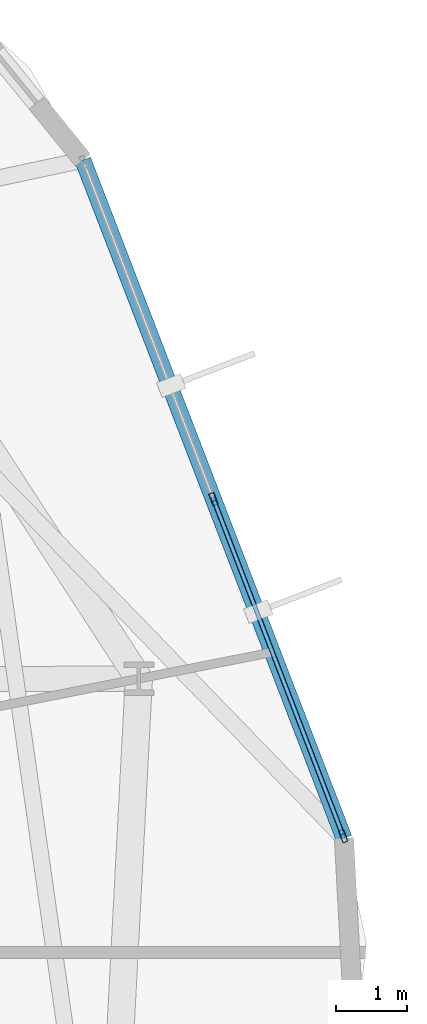
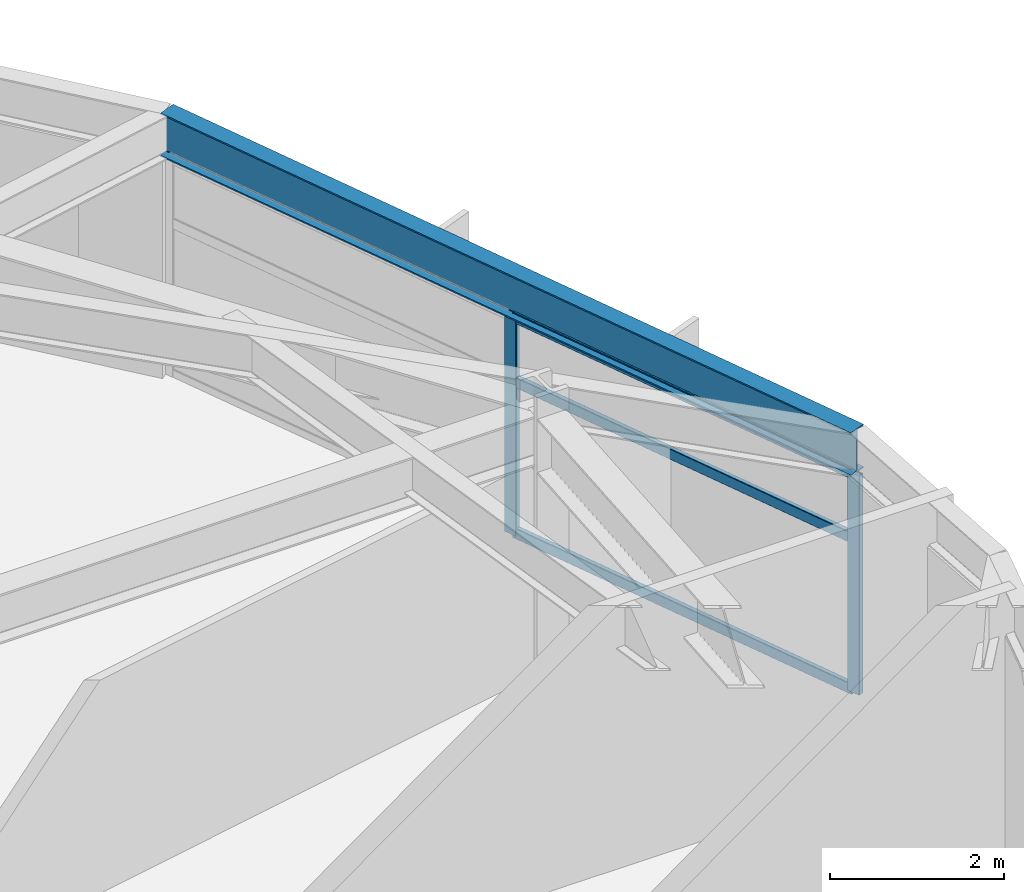
# One storey, part 11 of 23: 5 members, 1 beam, 1 element without a shape of its own.
"""IFC4 building model written with IfcOpenShell, lengths in metres."""

from ifc_helpers import new_model, si_unit, direction, frame, origin, origin_2d, place, context, subcontext, project, spatial, hollow_rectangle, i_section, extrude, material, layer, layer_set, material_profile, profile_set, type_object, element, aggregate, save


model = new_model("IFC4")

# Units and contexts
model_context = context("Model", 3, precision=1e-05, world=origin(), true_north=direction((0.0, 1.0)))
body_context = subcontext(model_context, "Body", "Model", "MODEL_VIEW")
ifc_project = project(units=[si_unit("LENGTHUNIT", "METRE"), si_unit("AREAUNIT", "SQUARE_METRE"), si_unit("VOLUMEUNIT", "CUBIC_METRE"), si_unit("PLANEANGLEUNIT", "RADIAN"), si_unit("MASSUNIT", "GRAM", prefix="KILO")], contexts=[model_context])

# Site, building, storey
site_placement = place(None, origin())
site = spatial("IfcSite", under=ifc_project, at=site_placement, CompositionType="ELEMENT")
building_placement = place(site_placement, origin())
building = spatial("IfcBuilding", under=site, at=building_placement, Name="Soratama Intermodal Tower", CompositionType="ELEMENT")
storey_placement = place(building_placement, frame((0.0, 0.0, 38.60009765625)))
storey = spatial("IfcBuildingStorey", under=building, at=storey_placement, Name="L08", CompositionType="ELEMENT", Elevation=38.60009765625)

# Beam
ifc_material_1 = material(Name="Structural steel ASTM A992 Grade 50", Category="steel")
ifc_material_profile_1 = material_profile(ifc_material_1, i_section(OverallWidth=0.22900390625, OverallDepth=0.612060546875, WebThickness=0.011962890625, FlangeThickness=0.01953125, FilletRadius=0.012939453125, at=origin_2d()), Name="W24X84")
ifc_profile_set_1 = profile_set([ifc_material_profile_1], Name="Structural steel ASTM A992 Grade 50")
beam_type = type_object("IfcBeamType", Name="BM-SPN-W24X84", PredefinedType="SPANDREL", material=ifc_profile_set_1)
beam_placement = place(storey_placement, frame((65.9619140625, 27.60595703125, 3.393798828125), z_axis=(-0.359360725363, 0.933198729675, 0.0), x_axis=(-0.933198729675, -0.359360725363, 0.0)))
element("IfcBeam", 1, at=beam_placement, inside=storey, type_object=beam_type, Name="BS-L08-F01", PredefinedType="SPANDREL", context=body_context, shape_type="SweptSolid", body=[
    extrude(i_section(OverallWidth=0.22900390625, OverallDepth=0.612060546875, WebThickness=0.011962890625, FlangeThickness=0.01953125, FilletRadius=0.012939453125, at=origin_2d()), origin(), (0.0, 0.0, 1.0), 10.201416015625),
])

# Curtain wall, members
ifc_material_2 = material(Name="Double-glazed aluminium curtain wall", Category="aluminium")
ifc_layer = layer(ifc_material_2, 0.159912109375)
ifc_layer_set = layer_set([ifc_layer], Name="Double-glazed aluminium curtain wall")
curtain_wall_type = type_object("IfcCurtainWallType", Name="CW-SYS-2", PredefinedType="NOTDEFINED", material=ifc_layer_set)
curtain_wall_placement = place(storey_placement, origin())
curtain_wall = element("IfcCurtainWall", 2, at=curtain_wall_placement, inside=storey, type_object=curtain_wall_type, Name="L08 Faceted Curtain Wall F01", PredefinedType="NOTDEFINED")
ifc_material_3 = material(Name="Anodised aluminium AA 6063-T6", Category="aluminium")
ifc_material_profile_2 = material_profile(ifc_material_3, hollow_rectangle(XDim=0.074951171875, YDim=0.179931640625, WallThickness=0.006103515625, InnerFilletRadius=0.006103515625, OuterFilletRadius=0.011962890625, at=origin_2d()), Name="CWM180X75X6")
ifc_profile_set_2 = profile_set([ifc_material_profile_2], Name="Anodised aluminium AA 6063-T6")
member_type_1 = type_object("IfcMemberType", Name="MT-CWM-2", PredefinedType="MULLION", material=ifc_profile_set_2)
member_1_placement = place(storey_placement, frame((65.950927734375, 27.634033203125, 0.0), z_axis=(0.0, 0.0, 1.0), x_axis=(-0.93320632625, -0.359340997727, 0.0)))
member_1 = element("IfcMember", 3, at=member_1_placement, type_object=member_type_1, Name="CW-2 mullion 1", PredefinedType="MULLION", context=body_context, shape_type="SweptSolid", body=[
    extrude(hollow_rectangle(XDim=0.074951171875, YDim=0.179931640625, WallThickness=0.006103515625, InnerFilletRadius=0.006103515625, OuterFilletRadius=0.011962890625, at=origin_2d()), origin(), (0.0, 0.0, 1.0), 3.078857421875),
])
member_2_placement = place(storey_placement, frame((64.12890625, 32.365966796875, 0.0), z_axis=(0.0, 0.0, 1.0), x_axis=(-0.93320632625, -0.359340997727, 0.0)))
member_2 = element("IfcMember", 4, at=member_2_placement, type_object=member_type_1, Name="CW-2 mullion 2", PredefinedType="MULLION", context=body_context, shape_type="SweptSolid", body=[
    extrude(hollow_rectangle(XDim=0.074951171875, YDim=0.179931640625, WallThickness=0.006103515625, InnerFilletRadius=0.006103515625, OuterFilletRadius=0.011962890625, at=origin_2d()), origin(), (0.0, 0.0, 1.0), 3.078857421875),
])
ifc_material_4 = material(Name="Anodised aluminium AA 6063-T6", Category="aluminium")
ifc_material_profile_3 = material_profile(ifc_material_4, hollow_rectangle(XDim=0.06494140625, YDim=0.14990234375, WallThickness=0.0048828125, InnerFilletRadius=0.0048828125, OuterFilletRadius=0.010009765625, at=origin_2d()), Name="CWT150X65X5")
ifc_profile_set_3 = profile_set([ifc_material_profile_3], Name="Anodised aluminium AA 6063-T6")
member_type_2 = type_object("IfcMemberType", Name="TT-CWT-1", PredefinedType="USERDEFINED", material=ifc_profile_set_3)
member_3_placement = place(storey_placement, frame((65.940185546875, 27.662109375, 0.02978515625), z_axis=(-0.359354542161, 0.933201110709, 0.0), x_axis=(-0.933201110709, -0.359354542161, 0.0)))
member_3 = element("IfcMember", 5, at=member_3_placement, type_object=member_type_2, Name="CW-2 transom 1.1", ObjectType="TRANSOM", PredefinedType="USERDEFINED", context=body_context, shape_type="SweptSolid", body=[
    extrude(hollow_rectangle(XDim=0.06494140625, YDim=0.14990234375, WallThickness=0.0048828125, InnerFilletRadius=0.0048828125, OuterFilletRadius=0.010009765625, at=origin_2d()), origin(), (0.0, 0.0, 1.0), 5.010498046875),
])
member_4_placement = place(storey_placement, frame((65.940185546875, 27.662109375, 2.14990234375), z_axis=(-0.359354542161, 0.933201110709, 0.0), x_axis=(-0.933201110709, -0.359354542161, 0.0)))
member_4 = element("IfcMember", 6, at=member_4_placement, type_object=member_type_2, Name="CW-2 transom 1.2", ObjectType="TRANSOM", PredefinedType="USERDEFINED", context=body_context, shape_type="SweptSolid", body=[
    extrude(hollow_rectangle(XDim=0.06494140625, YDim=0.14990234375, WallThickness=0.0048828125, InnerFilletRadius=0.0048828125, OuterFilletRadius=0.010009765625, at=origin_2d()), origin(), (0.0, 0.0, 1.0), 5.010498046875),
])
member_5_placement = place(storey_placement, frame((65.940185546875, 27.662109375, 3.048828125), z_axis=(-0.359354542161, 0.933201110709, 0.0), x_axis=(-0.933201110709, -0.359354542161, 0.0)))
member_5 = element("IfcMember", 7, at=member_5_placement, type_object=member_type_2, Name="CW-2 transom 1.3", ObjectType="TRANSOM", PredefinedType="USERDEFINED", context=body_context, shape_type="SweptSolid", body=[
    extrude(hollow_rectangle(XDim=0.06494140625, YDim=0.14990234375, WallThickness=0.0048828125, InnerFilletRadius=0.0048828125, OuterFilletRadius=0.010009765625, at=origin_2d()), origin(), (0.0, 0.0, 1.0), 5.010498046875),
])
aggregate(curtain_wall, [member_1, member_2, member_3, member_4, member_5])

save(model, "model.ifc")
